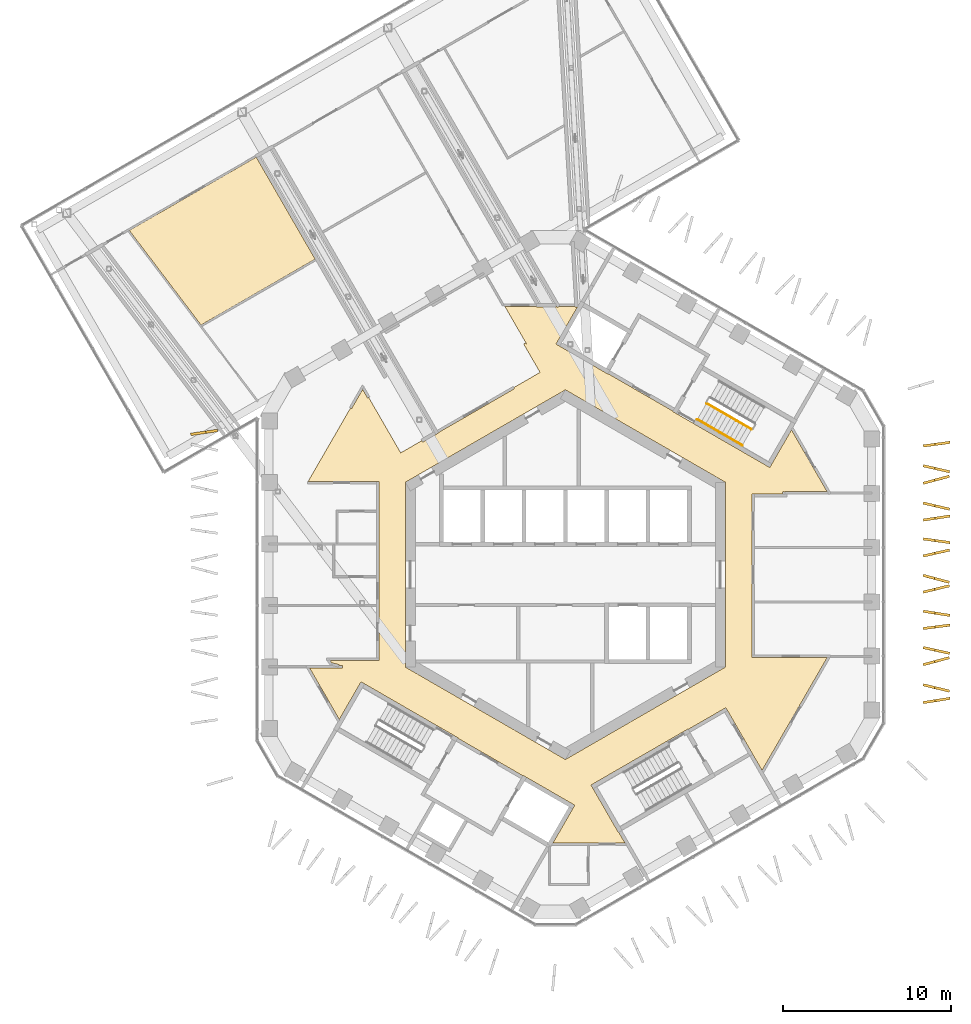
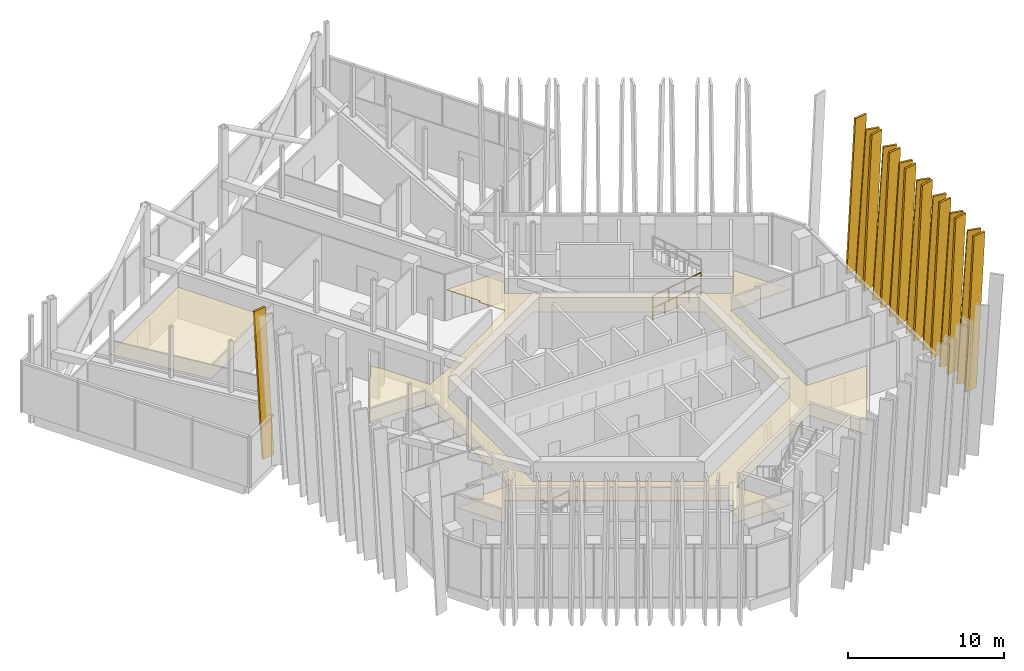
# One storey, part 28 of 29: 16 shading devices, 3 railings, 2 coverings.
"""IFC4 building model written with IfcOpenShell, lengths in metres."""

import ifcopenshell
import ifcopenshell.guid

model = None  # the IFC model being written
_history = None  # IfcOwnerHistory: only IFC2X3 demands one
_inside = {}  # id of a spatial element -> (the spatial element, [elements in it])
_under = {}  # id of a project, library or spatial element -> (it, [spatial elements below it])
_declared = {}  # id of a project -> (the project, [libraries it declares])
_typed = {}  # id of a type object -> (the type object, [elements of that type])
_made_of = {}  # id of a material, layer set ... -> (it, [elements and type objects made of it])


def new_model(schema):
    """Start an empty IFC model of exactly this schema.

    Asked for "IFC4X3", IfcOpenShell would pick the latest addendum, in which some entities
    have other attributes; the version numbers below select the first issue.
    IFC2X3 requires an IfcOwnerHistory on every rooted entity: one is made here for all.
    """
    global model, _history
    if schema == "IFC4X3":
        model = ifcopenshell.file(schema_version=(4, 3, 0, 0))
    else:
        model = ifcopenshell.file(schema=schema)
    _inside.clear()
    _under.clear()
    _declared.clear()
    _typed.clear()
    _made_of.clear()
    _history = None
    if model.schema == "IFC2X3":
        org = make("IfcOrganization", Name="unknown")
        user = make(
            "IfcPersonAndOrganization",
            ThePerson=make("IfcPerson", FamilyName="unknown"),
            TheOrganization=org,
        )
        app = make(
            "IfcApplication",
            ApplicationDeveloper=org,
            Version="unknown",
            ApplicationFullName="unknown",
            ApplicationIdentifier="unknown",
        )
        _history = make(
            "IfcOwnerHistory",
            OwningUser=user,
            OwningApplication=app,
            ChangeAction="ADDED",
            CreationDate=0,
        )
    return model


def make(cls, **values):
    """One entity of the class cls with the attributes given. An attribute that is None is left unset."""
    return model.create_entity(
        cls, **{name: value for name, value in values.items() if value is not None}
    )


def rooted(cls, **values):
    """An entity with a GlobalId (a new one), such as an element, a storey or a relation."""
    return make(cls, GlobalId=ifcopenshell.guid.new(), OwnerHistory=_history, **values)


def si_unit(unit_type, name, prefix=None):
    """IfcSIUnit, for example si_unit("LENGTHUNIT", "METRE", prefix="MILLI")."""
    return make("IfcSIUnit", UnitType=unit_type, Prefix=prefix, Name=name)


def assignment(units):
    """IfcUnitAssignment: the units of a project."""
    return None if units is None else make("IfcUnitAssignment", Units=units)


def point(xyz):
    """IfcCartesianPoint."""
    return None if xyz is None else make("IfcCartesianPoint", Coordinates=xyz)


def direction(xyz):
    """IfcDirection."""
    return None if xyz is None else make("IfcDirection", DirectionRatios=xyz)


def frame(location, z_axis=None, x_axis=None):
    """IfcAxis2Placement3D, a coordinate frame: its origin and axes. An axis left out is left unset."""
    return make(
        "IfcAxis2Placement3D",
        Location=point(location),
        Axis=direction(z_axis),
        RefDirection=direction(x_axis),
    )


def frame_2d(location, x_axis=None):
    """IfcAxis2Placement2D, a coordinate frame in the plane: its origin and x axis."""
    return make(
        "IfcAxis2Placement2D", Location=point(location), RefDirection=direction(x_axis)
    )


def origin():
    """The frame at (0, 0, 0) with its axes left unset."""
    return frame((0.0, 0.0, 0.0))


def origin_2d():
    """The frame at (0, 0) in the plane with its x axis left unset."""
    return frame_2d((0.0, 0.0))


def place(relative_to, where):
    """IfcLocalPlacement: puts the frame where relative to a parent placement (None: the world)."""
    return make(
        "IfcLocalPlacement", PlacementRelTo=relative_to, RelativePlacement=where
    )


def context(
    kind, dimensions, precision=None, world=None, true_north=None, identifier=None
):
    """IfcGeometricRepresentationContext, for example the 3D "Model" context."""
    return make(
        "IfcGeometricRepresentationContext",
        ContextIdentifier=identifier,
        ContextType=kind,
        CoordinateSpaceDimension=dimensions,
        Precision=precision,
        WorldCoordinateSystem=world,
        TrueNorth=true_north,
    )


def subcontext(parent, identifier, kind, view, scale=None):
    """IfcGeometricRepresentationSubContext, for example "Body" below "Model"."""
    return make(
        "IfcGeometricRepresentationSubContext",
        ContextIdentifier=identifier,
        ContextType=kind,
        ParentContext=parent,
        TargetScale=scale,
        TargetView=view,
    )


def project(units=None, contexts=None):
    """IfcProject with its units and contexts."""
    return rooted(
        "IfcProject",
        Name="project",
        RepresentationContexts=contexts,
        UnitsInContext=assignment(units),
    )


def spatial(cls, under=None, at=None, **own):
    """A site, building, storey or space (cls), placed at a placement, below another one or the project."""
    s = rooted(cls, ObjectPlacement=at, **own)
    if under is not None:
        _under.setdefault(under.id(), (under, []))[1].append(s)
    return s


def polyline(points):
    """IfcPolyline through the points."""
    return make("IfcPolyline", Points=[point(p) for p in points])


def profile(cls, at=None, kind="AREA", **sizes):
    """A parametric profile (cls). Its sizes go by their IFC names, for example OverallWidth=200.0."""
    return make(cls, ProfileType=kind, Position=at, **sizes)


def circle(**sizes):
    """IfcCircleProfileDef."""
    return profile("IfcCircleProfileDef", **sizes)


def outline(outer, holes=None, kind="AREA"):
    """IfcArbitraryClosedProfileDef: a profile drawn as a closed curve; with holes, ...WithVoids."""
    if holes is None:
        return make("IfcArbitraryClosedProfileDef", ProfileType=kind, OuterCurve=outer)
    return make(
        "IfcArbitraryProfileDefWithVoids",
        ProfileType=kind,
        OuterCurve=outer,
        InnerCurves=holes,
    )


def extrude(swept, where, along, depth):
    """IfcExtrudedAreaSolid: the profile swept, set in the frame where, extruded along a direction by depth."""
    return make(
        "IfcExtrudedAreaSolid",
        SweptArea=swept,
        Position=where,
        ExtrudedDirection=direction(along),
        Depth=depth,
    )


def shape(context_of_items, identifier, shape_type, items):
    """IfcShapeRepresentation: the items that make up one representation, for example the "Body"."""
    return make(
        "IfcShapeRepresentation",
        ContextOfItems=context_of_items,
        RepresentationIdentifier=identifier,
        RepresentationType=shape_type,
        Items=items,
    )


def material(Name=None, Category=None):
    """IfcMaterial."""
    return make("IfcMaterial", Name=Name, Category=Category)


def layer(
    of_material, thickness, ventilated=None, Name=None, Category=None, Priority=None
):
    """IfcMaterialLayer: one layer of a wall or slab, of a material (None: an air gap)."""
    return make(
        "IfcMaterialLayer",
        Material=of_material,
        LayerThickness=thickness,
        IsVentilated=ventilated,
        Name=Name,
        Category=Category,
        Priority=Priority,
    )


def layer_set(layers, Name=None):
    """IfcMaterialLayerSet."""
    return make("IfcMaterialLayerSet", MaterialLayers=layers, LayerSetName=Name)


def made_of(thing, what):
    """Note that an element or type object is made of a material, layer set ...; save() writes the relation."""
    if what is not None:
        _made_of.setdefault(what.id(), (what, []))[1].append(thing)
    return thing


def type_object(cls, material=None, **own):
    """A type object (cls), such as IfcWallType, which elements share."""
    return made_of(rooted(cls, **own), material)


def element(
    cls,
    number,
    at=None,
    inside=None,
    cuts=None,
    type_object=None,
    material=None,
    context=None,
    identifier="Body",
    shape_type=None,
    held_by="IfcProductDefinitionShape",
    body=None,
    shapes=None,
    **own,
):
    """One element of the class cls, such as IfcWall. Its Tag is "e" and its number.

    at: its placement. inside: the storey or other place that contains it. cuts: it is an
    opening in that element (IfcRelVoidsElement). A single representation is given by context,
    identifier, shape_type and body (its items); several are given by shapes. held_by: the class
    of the entity that holds the representations. save() writes the other relations.
    """
    e = rooted(cls, Tag="e%d" % number, ObjectPlacement=at, **own)
    if body is not None:
        shapes = [shape(context, identifier, shape_type, body)]
    if shapes is not None:
        e.Representation = make(held_by, Representations=shapes)
    if inside is not None:
        _inside.setdefault(inside.id(), (inside, []))[1].append(e)
    if cuts is not None:
        rooted(
            "IfcRelVoidsElement", RelatingBuildingElement=cuts, RelatedOpeningElement=e
        )
    if type_object is not None:
        _typed.setdefault(type_object.id(), (type_object, []))[1].append(e)
    return made_of(e, material)


def aggregate(whole, parts):
    """IfcRelAggregates: a whole, such as a stair, and the parts it consists of."""
    return rooted("IfcRelAggregates", RelatingObject=whole, RelatedObjects=parts)


def save(model, path):
    """Write the relations noted so far, then the file.

    IfcRelAggregates (storeys below a building ...), IfcRelContainedInSpatialStructure (elements
    in a storey), IfcRelDefinesByType, IfcRelAssociatesMaterial and IfcRelDeclares: one each for
    every whole, place, type object, material and project.
    """
    for whole, parts in _under.values():
        aggregate(whole, parts)
    for where, things in _inside.values():
        rooted(
            "IfcRelContainedInSpatialStructure",
            RelatedElements=things,
            RelatingStructure=where,
        )
    for kind, things in _typed.values():
        rooted("IfcRelDefinesByType", RelatedObjects=things, RelatingType=kind)
    for what, things in _made_of.values():
        rooted("IfcRelAssociatesMaterial", RelatedObjects=things, RelatingMaterial=what)
    for by, libraries in _declared.values():
        rooted("IfcRelDeclares", RelatingContext=by, RelatedDefinitions=libraries)
    model.write(path)


model = new_model("IFC4")

# Units and contexts
model_context = context("Model", 3, precision=1e-05, world=origin(), true_north=direction((0.0, 1.0)))
body_context = subcontext(model_context, "Body", "Model", "MODEL_VIEW")
ifc_project = project(units=[si_unit("LENGTHUNIT", "METRE"), si_unit("AREAUNIT", "SQUARE_METRE"), si_unit("VOLUMEUNIT", "CUBIC_METRE"), si_unit("PLANEANGLEUNIT", "RADIAN"), si_unit("MASSUNIT", "GRAM", prefix="KILO")], contexts=[model_context])

# Site, building, storey
site_placement = place(None, origin())
site = spatial("IfcSite", under=ifc_project, at=site_placement, CompositionType="ELEMENT")
building_placement = place(site_placement, origin())
building = spatial("IfcBuilding", under=site, at=building_placement, Name="Ayvan Gate Tower", CompositionType="ELEMENT")
storey_placement = place(building_placement, frame((0.0, 0.0, 186.699951171875)))
storey = spatial("IfcBuildingStorey", under=building, at=storey_placement, Name="L50", CompositionType="ELEMENT", Elevation=186.699951171875)

# Shading devices
ifc_material_1 = material(Name="Bronze anodised aluminium", Category="aluminium")
ifc_layer_1 = layer(ifc_material_1, 0.14990234375)
ifc_layer_set_1 = layer_set([ifc_layer_1], Name="Bronze anodised aluminium")
shading_device_type = type_object("IfcShadingDeviceType", Name="Bronze fin 900 x 150", PredefinedType="USERDEFINED", material=ifc_layer_set_1)
shading_device_1_placement = place(storey_placement, frame((-20.656494140625, 8.634033203125, 0.0), z_axis=(-0.144306891983, 0.989532973595, 0.000122858724), x_axis=(-0.989532981063, -0.144306893072, 0.0)))
element("IfcShadingDevice", 1, at=shading_device_1_placement, inside=storey, type_object=shading_device_type, Name="Bronze fin FG18.1.1", ObjectType="FIN", PredefinedType="USERDEFINED", context=body_context, shape_type="SweptSolid", body=[
    extrude(outline(polyline([(0.0, 0.0), (0.900045796394778, 3.3881317890172014e-21), (1.6073669991266573, 11.880127042785901), (0.7073212027318794, 11.880127042785901), (0.0, 0.0)])), origin(), (0.0, 0.0, -1.0), 0.14990234375),
])
shading_device_2_placement = place(storey_placement, frame((21.25048828125, -7.666748046875, 0.0), z_axis=(0.154757519816, -0.987952475322, 0.000128709559), x_axis=(0.987952483505, 0.154757521096, -1.7247e-08)))
element("IfcShadingDevice", 2, at=shading_device_2_placement, inside=storey, type_object=shading_device_type, Name="Bronze fin FG18.7.49", ObjectType="FIN", PredefinedType="USERDEFINED", context=body_context, shape_type="SweptSolid", body=[
    extrude(outline(polyline([(0.0, 0.0), (0.899984065417699, 3.3881317890172014e-21), (1.607246245138035, 11.88012707924971), (0.707224397122412, 11.880127048204399), (0.0, 0.0)])), origin(), (0.0, 0.0, -1.0), 0.14990234375),
])
shading_device_3_placement = place(storey_placement, frame((21.218994140625, -6.609619140625, 0.0), z_axis=(-0.234932227917, -0.972011746683, 0.000112230016), x_axis=(0.972011752805, -0.234932229397, 0.0)))
element("IfcShadingDevice", 3, at=shading_device_3_placement, inside=storey, type_object=shading_device_type, Name="Bronze fin FG18.7.50", ObjectType="FIN", PredefinedType="USERDEFINED", context=body_context, shape_type="SweptSolid", body=[
    extrude(outline(polyline([(0.0, 0.0), (0.899943706288381, 0.0), (1.6069174247310427, 11.880127027943526), (0.7069737184426617, 11.880127027943526), (0.0, 0.0)])), origin(), (0.0, 0.0, -1.0), 0.14990234375),
])
shading_device_4_placement = place(storey_placement, frame((21.2548828125, -5.416748046875, 0.0), z_axis=(0.257949633648, -0.966158354421, 0.000143816895), x_axis=(0.966158364413, 0.257949636316, 0.0)))
element("IfcShadingDevice", 4, at=shading_device_4_placement, inside=storey, type_object=shading_device_type, Name="Bronze fin FG18.7.51", ObjectType="FIN", PredefinedType="USERDEFINED", context=body_context, shape_type="SweptSolid", body=[
    extrude(outline(polyline([(0.0, 0.0), (0.9000894038511281, 0.0), (1.607325480766246, 11.880127075985111), (0.7072360769151178, 11.880127075985111), (0.0, 0.0)])), origin(), (0.0, 0.0, -1.0), 0.14990234375),
])
shading_device_5_placement = place(storey_placement, frame((21.220947265625, -4.396240234375, 0.0), z_axis=(-0.216600146272, -0.976260396283, 0.000123630372), x_axis=(0.976260403744, -0.216600147925, 1.637e-08)))
element("IfcShadingDevice", 5, at=shading_device_5_placement, inside=storey, type_object=shading_device_type, Name="Bronze fin FG18.7.52", ObjectType="FIN", PredefinedType="USERDEFINED", context=body_context, shape_type="SweptSolid", body=[
    extrude(outline(polyline([(0.0, 0.0), (0.9000019802538262, 0.0), (1.6071716020307891, 11.880127017605789), (0.7071167408814736, 11.880127047073314), (0.0, 0.0)])), origin(), (0.0, 0.0, -1.0), 0.14990234375),
])
shading_device_6_placement = place(storey_placement, frame((21.249267578125, -3.27197265625, 0.0), z_axis=(0.128573788128, -0.991699935435, 0.000138076279), x_axis=(0.991699944888, 0.128573789354, 0.0)))
element("IfcShadingDevice", 6, at=shading_device_6_placement, inside=storey, type_object=shading_device_type, Name="Bronze fin FG18.7.53", ObjectType="FIN", PredefinedType="USERDEFINED", context=body_context, shape_type="SweptSolid", body=[
    extrude(outline(polyline([(0.0, 0.0), (0.9000485777990384, 0.0), (1.607055415674779, 11.880127066372662), (0.7070068378757406, 11.880127066372662), (0.0, 0.0)])), origin(), (0.0, 0.0, -1.0), 0.14990234375),
])
shading_device_7_placement = place(storey_placement, frame((21.227294921875, -2.2431640625, 0.0), z_axis=(-0.156937651344, -0.987608504265, 0.000126069648), x_axis=(0.987608512114, -0.156937652589, 1.4207e-08)))
element("IfcShadingDevice", 7, at=shading_device_7_placement, inside=storey, type_object=shading_device_type, Name="Bronze fin FG18.7.54", ObjectType="FIN", PredefinedType="USERDEFINED", context=body_context, shape_type="SweptSolid", body=[
    extrude(outline(polyline([(0.0, 0.0), (0.8998058953347364, 0.0), (1.607081593334415, 11.880127024702013), (0.7069962677836864, 11.880127050272971), (0.0, 0.0)])), origin(), (0.0, 0.0, -1.0), 0.14990234375),
])
shading_device_8_placement = place(storey_placement, frame((21.254150390625, -1.109375, 0.0), z_axis=(0.233973113596, -0.972243059859, 0.000121119924), x_axis=(0.972243066991, 0.23397311531, -1.5973e-08)))
element("IfcShadingDevice", 8, at=shading_device_8_placement, inside=storey, type_object=shading_device_type, Name="Bronze fin FG18.7.55", ObjectType="FIN", PredefinedType="USERDEFINED", context=body_context, shape_type="SweptSolid", body=[
    extrude(outline(polyline([(0.0, 0.0), (0.8999521429426482, 0.0), (1.60720338005186, 11.880127065937486), (0.7071941147666064, 11.88012703718706), (0.0, 0.0)])), origin(), (0.0, 0.0, -1.0), 0.14990234375),
])
shading_device_9_placement = place(storey_placement, frame((21.21630859375, -0.112548828125, 0.0), z_axis=(-0.258523642739, -0.966004923183, 0.000120548655), x_axis=(0.966004930202, -0.258523644617, 0.0)))
element("IfcShadingDevice", 9, at=shading_device_9_placement, inside=storey, type_object=shading_device_type, Name="Bronze fin FG18.7.56", ObjectType="FIN", PredefinedType="USERDEFINED", context=body_context, shape_type="SweptSolid", body=[
    extrude(outline(polyline([(0.0, 0.0), (0.8999796361738687, 0.0), (1.6069940081428429, 11.880127039445876), (0.7070143719689741, 11.880127039445876), (0.0, 0.0)])), origin(), (0.0, 0.0, -1.0), 0.14990234375),
])
shading_device_10_placement = place(storey_placement, frame((21.253662109375, 1.033203125, 0.0), z_axis=(0.221925973795, -0.975063508337, 0.00012986155), x_axis=(0.975063516559, 0.221925975666, 0.0)))
element("IfcShadingDevice", 10, at=shading_device_10_placement, inside=storey, type_object=shading_device_type, Name="Bronze fin FG18.7.57", ObjectType="FIN", PredefinedType="USERDEFINED", context=body_context, shape_type="SweptSolid", body=[
    extrude(outline(polyline([(0.0, 0.0), (0.8998812809102466, 3.3881317890172014e-21), (1.6070673808745322, 11.880127053298363), (0.7071860999642858, 11.880127053298363), (0.0, 0.0)])), origin(), (0.0, 0.0, -1.0), 0.14990234375),
])
shading_device_11_placement = place(storey_placement, frame((21.229248046875, 2.048828125, 0.0), z_axis=(-0.136880693071, -0.990587533004, 0.000123777922), x_axis=(0.990587540593, -0.136880694117, 1.6634e-08)))
element("IfcShadingDevice", 11, at=shading_device_11_placement, inside=storey, type_object=shading_device_type, Name="Bronze fin FG18.7.58", ObjectType="FIN", PredefinedType="USERDEFINED", context=body_context, shape_type="SweptSolid", body=[
    extrude(outline(polyline([(0.0, 0.0), (0.8998102979833829, 1.6940658945086007e-21), (1.6069654255043242, 11.880127017402394), (0.7071217093827291, 11.880127047337732), (0.0, 0.0)])), origin(), (0.0, 0.0, -1.0), 0.14990234375),
])
shading_device_12_placement = place(storey_placement, frame((21.250244140625, 3.16552734375, 0.0), z_axis=(0.148784795017, -0.988869590218, 0.000135327782), x_axis=(0.988869599273, 0.148784796377, -2.0879e-08)))
element("IfcShadingDevice", 12, at=shading_device_12_placement, inside=storey, type_object=shading_device_type, Name="Bronze fin FG18.7.59", ObjectType="FIN", PredefinedType="USERDEFINED", context=body_context, shape_type="SweptSolid", body=[
    extrude(outline(polyline([(0.0, 0.0), (0.9001349187903478, -3.3881317890172014e-21), (1.6072395055977167, 11.880127095465784), (0.7073096856362012, 11.880127057883094), (0.0, 0.0)])), origin(), (0.0, 0.0, -1.0), 0.14990234375),
])
shading_device_13_placement = place(storey_placement, frame((21.219482421875, 4.1806640625, 0.0), z_axis=(-0.22936440642, -0.9733406153, 0.000125196674), x_axis=(0.973340622928, -0.22936440822, -1.6528e-08)))
element("IfcShadingDevice", 13, at=shading_device_13_placement, inside=storey, type_object=shading_device_type, Name="Bronze fin FG18.7.60", ObjectType="FIN", PredefinedType="USERDEFINED", context=body_context, shape_type="SweptSolid", body=[
    extrude(outline(polyline([(0.0, 0.0), (0.8999971788134337, 0.0), (1.6072029585029148, 11.880127072795021), (0.7072617768594569, 11.880127043045212), (0.0, 0.0)])), origin(), (0.0, 0.0, -1.0), 0.14990234375),
])
shading_device_14_placement = place(storey_placement, frame((21.2548828125, 5.350830078125, 0.0), z_axis=(0.258776758785, -0.965937146787, 0.000132547392), x_axis=(0.965937155273, 0.258776761059, 0.0)))
element("IfcShadingDevice", 14, at=shading_device_14_placement, inside=storey, type_object=shading_device_type, Name="Bronze fin FG18.7.61", ObjectType="FIN", PredefinedType="USERDEFINED", context=body_context, shape_type="SweptSolid", body=[
    extrude(outline(polyline([(0.0, 0.0), (0.9000427831971298, 6.776263578034403e-21), (1.6074064195881492, 11.880127057484854), (0.7073636363910194, 11.880127057484854), (0.0, 0.0)])), origin(), (0.0, 0.0, -1.0), 0.14990234375),
])
shading_device_15_placement = place(storey_placement, frame((21.22021484375, 6.392333984375, 0.0), z_axis=(-0.223403002864, -0.974726155787, 0.000139770665), x_axis=(0.974726165309, -0.223403005044, 1.848e-08)))
element("IfcShadingDevice", 15, at=shading_device_15_placement, inside=storey, type_object=shading_device_type, Name="Bronze fin FG18.7.62", ObjectType="FIN", PredefinedType="USERDEFINED", context=body_context, shape_type="SweptSolid", body=[
    extrude(outline(polyline([(0.0, 0.0), (0.8999149865979491, 3.3881317890172014e-21), (1.607142438379275, 11.880127039468777), (0.7071729100320474, 11.880127072731044), (0.0, 0.0)])), origin(), (0.0, 0.0, -1.0), 0.14990234375),
])
shading_device_16_placement = place(storey_placement, frame((21.24951171875, 7.56298828125, 0.0), z_axis=(0.134810587114, -0.990871377718, 0.000135721883), x_axis=(0.990871386845, 0.134810588355, 0.0)))
element("IfcShadingDevice", 16, at=shading_device_16_placement, inside=storey, type_object=shading_device_type, Name="Bronze fin FG18.7.63", ObjectType="FIN", PredefinedType="USERDEFINED", context=body_context, shape_type="SweptSolid", body=[
    extrude(outline(polyline([(0.0, 0.0), (0.9000620211317941, 0.0), (1.6071737917456002, 11.88012706254352), (0.7071117706138059, 11.88012706254352), (0.0, 0.0)])), origin(), (0.0, 0.0, -1.0), 0.14990234375),
])

# Coverings
ifc_material_2 = material(Name="Plasterboard suspended ceiling")
ifc_layer_2 = layer(ifc_material_2, 0.050048828125)
ifc_layer_set_2 = layer_set([ifc_layer_2], Name="Plasterboard suspended ceiling")
covering_type = type_object("IfcCoveringType", Name="CT-SUSP-50", PredefinedType="CEILING", material=ifc_layer_set_2)
covering_1_placement = place(storey_placement, frame((0.0, 0.0, 2.400146484375)))
element("IfcCovering", 17, at=covering_1_placement, inside=storey, type_object=covering_type, Name="Ceiling Ring Corridor L50", PredefinedType="CEILING", context=body_context, shape_type="SweptSolid", body=[
    extrude(outline(polyline([(-13.965087890625, -5.09130859375), (-11.074951171875, -5.09130859375), (-11.074951171875, 5.54150390625), (-15.26806640625, 5.54150390625), (-12.751220703125, 9.900634765625), (-12.686279296875, 9.86328125), (-12.03369140625, 10.99365234375), (-11.73974609375, 10.484619140625), (-11.6748046875, 10.522216796875), (-9.77490234375, 7.2314453125), (-8.51953125, 7.9560546875), (-8.469482421875, 7.869384765625), (-7.68994140625, 8.319580078125), (-7.516845703125, 8.419677734375), (-7.529296875, 8.441162109375), (-3.0263671875, 11.041015625), (-3.063720703125, 11.10595703125), (-1.5048828125, 12.006103515625), (-2.4755859375, 13.687255859375), (-2.384521484375, 13.75634765625), (-2.281494140625, 13.650634765625), (-3.590576171875, 15.918212890625), (-1.712890625, 15.918212890625), (-1.712890625, 15.893310546875), (-0.557861328125, 15.893310546875), (-0.557861328125, 15.96630859375), (-0.49462890625, 15.856689453125), (-0.358154296875, 15.935546875), (-0.358154296875, 15.918212890625), (0.55712890625, 15.918212890625), (0.558837890625, 15.8876953125), (0.719970703125, 15.89697265625), (-0.55615234375, 13.686767578125), (-0.339599609375, 13.561767578125), (2.518310546875, 11.91162109375), (2.53076171875, 11.933349609375), (6.384521484375, 9.70849609375), (6.3720703125, 9.686767578125), (6.588623046875, 9.561767578125), (12.131103515625, 6.36181640625), (12.24609375, 6.56103515625), (13.41943359375, 8.59326171875), (15.53759765625, 4.924560546875), (13.037109375, 4.924560546875), (13.037109375, 4.907958984375), (12.908203125, 4.94091796875), (12.86572265625, 4.774658203125), (11.074951171875, 4.774658203125), (11.074951171875, -4.924560546875), (15.53759765625, -4.924560546875), (11.673095703125, -11.618408203125), (11.1337890625, -10.6845703125), (11.123779296875, -10.667236328125), (9.623779296875, -8.069091796875), (9.52392578125, -7.89599609375), (7.2939453125, -9.183349609375), (7.281494140625, -9.16162109375), (1.522216796875, -12.48681640625), (1.647216796875, -12.703369140625), (3.147216796875, -15.30126953125), (3.1689453125, -15.288818359375), (3.532470703125, -15.918212890625), (-0.732177734375, -15.918212890625), (0.43115234375, -13.9033203125), (0.55615234375, -13.686767578125), (-2.284423828125, -12.046630859375), (-2.518310546875, -11.91162109375), (-2.53076171875, -11.933349609375), (-6.384521484375, -9.70849609375), (-6.3720703125, -9.686767578125), (-11.897216796875, -6.49658203125), (-12.131103515625, -6.36181640625), (-13.41943359375, -8.59326171875), (-15.181396484375, -5.54150390625), (-13.243408203125, -5.54150390625), (-13.243408203125, -5.391357421875), (-13.4541015625, -5.391357421875), (-13.44091796875, -5.33935546875), (-13.84130859375, -5.23681640625), (-13.85205078125, -5.279052734375), (-13.965087890625, -5.09130859375)]), holes=[polyline([(-0.300048828125, -10.79638671875), (0.0, -10.9697265625), (1.529296875, -10.086669921875), (8.38720703125, -6.127197265625), (9.199951171875, -5.657958984375), (9.5, -5.48486328125), (9.5, 5.48486328125), (0.0, 10.9697265625), (-9.5, 5.48486328125), (-9.5, -5.48486328125), (-9.199951171875, -5.657958984375), (-0.300048828125, -10.79638671875)])]), origin(), (0.0, 0.0, 1.0), 0.0498046875),
])
covering_2_placement = place(storey_placement, frame((0.0, 0.0, 2.400146484375)))
element("IfcCovering", 18, at=covering_2_placement, inside=storey, type_object=covering_type, Name="Ceiling Study Lounge 2 L50", PredefinedType="CEILING", context=body_context, shape_type="SweptSolid", body=[
    extrude(outline(polyline([(-25.884765625, 20.4326171875), (-18.349853515625, 24.782958984375), (-18.334716796875, 24.7568359375), (-14.855712890625, 18.730712890625), (-21.63037109375, 14.8193359375), (-25.884765625, 20.4326171875)])), origin(), (0.0, 0.0, 1.0), 0.0498046875),
])

# Railings
ifc_material_3 = material(Name="Stainless steel balustrade", Category="steel")
railing_type_1 = type_object("IfcRailingType", Name="RL-GUARD-1100", PredefinedType="GUARDRAIL", material=ifc_material_3)
railing_1_placement = place(storey_placement, frame((8.381103515625, 10.16650390625, 0.166748046875)))
element("IfcRailing", 19, at=railing_1_placement, inside=storey, type_object=railing_type_1, Name="L50 STS1 stair guard 1", PredefinedType="GUARDRAIL", context=body_context, shape_type="SweptSolid", body=[
    extrude(circle(Radius=0.02392578125, at=origin_2d()), frame((0.0, 0.0, 1.076171875), z_axis=(0.744189839504, -0.429649414936, 0.511451721109), x_axis=(0.499992328818, 0.866029832698, 0.0)), (0.0, 0.0, 1.0), 3.58447265625),
    extrude(circle(Radius=0.02099609375, at=origin_2d()), origin(), (0.0, 0.0, 1.0), 1.052001953125),
    extrude(circle(Radius=0.02099609375, at=origin_2d()), frame((0.88916015625, -0.513427734375, 0.611083984375)), (0.0, 0.0, 1.0), 1.052001953125),
    extrude(circle(Radius=0.02099609375, at=origin_2d()), frame((1.7783203125, -1.026611328125, 1.22216796875)), (0.0, 0.0, 1.0), 1.052001953125),
    extrude(circle(Radius=0.02099609375, at=origin_2d()), frame((2.66748046875, -1.5400390625, 1.833251953125)), (0.0, 0.0, 1.0), 1.052001953125),
])
railing_type_2 = type_object("IfcRailingType", Name="RL-HANDRAIL-900", PredefinedType="HANDRAIL", material=ifc_material_3)
railing_2_placement = place(storey_placement, frame((7.8310546875, 9.2138671875, 0.166748046875)))
element("IfcRailing", 20, at=railing_2_placement, inside=storey, type_object=railing_type_2, Name="L50 STS1 stair handrail 1", PredefinedType="HANDRAIL", context=body_context, shape_type="SweptSolid", body=[
    extrude(circle(Radius=0.02392578125, at=origin_2d()), frame((0.0, 0.0, 0.8759765625), z_axis=(0.7441639146, -0.429634447492, 0.511502013422), x_axis=(0.499992328818, 0.866029832698, 0.0)), (0.0, 0.0, 1.0), 1.792236328125),
    extrude(circle(Radius=0.02099609375, at=origin_2d()), origin(), (0.0, 0.0, 1.0), 0.851806640625),
    extrude(circle(Radius=0.02099609375, at=origin_2d()), frame((0.6669921875, -0.385009765625, 0.45849609375)), (0.0, 0.0, 1.0), 0.851806640625),
    extrude(circle(Radius=0.02099609375, at=origin_2d()), frame((1.333740234375, -0.77001953125, 0.916748046875)), (0.0, 0.0, 1.0), 0.851806640625),
])
railing_3_placement = place(storey_placement, frame((9.164794921875, 8.44384765625, 1.08349609375)))
element("IfcRailing", 21, at=railing_3_placement, inside=storey, type_object=railing_type_2, Name="L50 STS1 stair handrail 2", PredefinedType="HANDRAIL", context=body_context, shape_type="SweptSolid", body=[
    extrude(circle(Radius=0.02392578125, at=origin_2d()), frame((0.0, 0.0, 0.8759765625), z_axis=(0.744215763664, -0.42966438195, 0.511401423539), x_axis=(0.499992328818, 0.866029832698, 0.0)), (0.0, 0.0, 1.0), 1.792236328125),
    extrude(circle(Radius=0.02099609375, at=origin_2d()), origin(), (0.0, 0.0, 1.0), 0.851806640625),
    extrude(circle(Radius=0.02099609375, at=origin_2d()), frame((0.6669921875, -0.385009765625, 0.458251953125)), (0.0, 0.0, 1.0), 0.851806640625),
    extrude(circle(Radius=0.02099609375, at=origin_2d()), frame((1.333740234375, -0.77001953125, 0.91650390625)), (0.0, 0.0, 1.0), 0.851806640625),
])

save(model, "model.ifc")
